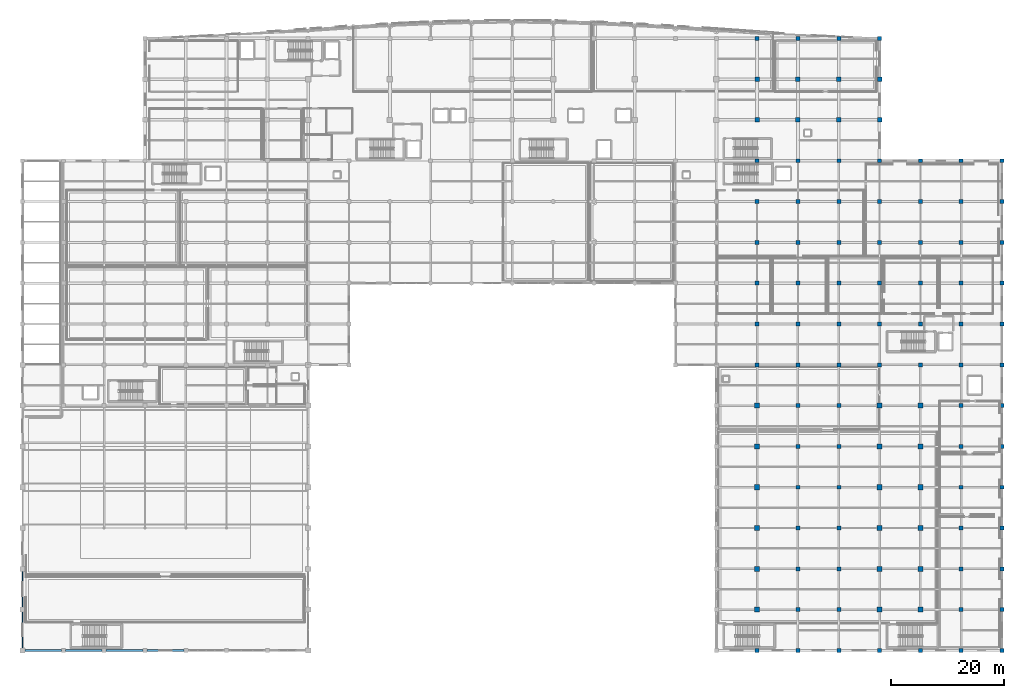
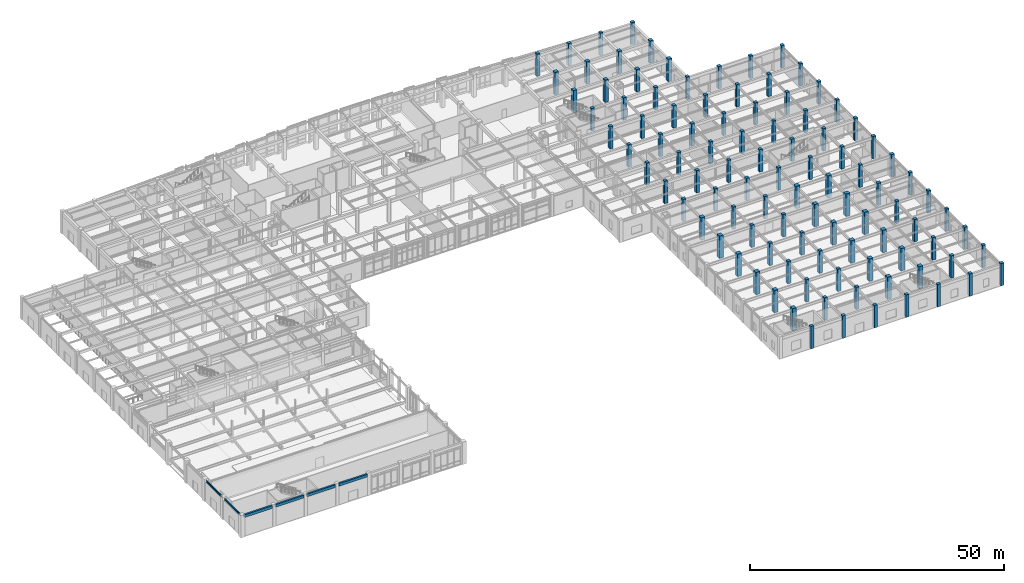
# One storey, part 13 of 102: 103 columns, 6 beams.
"""IFC4 building model written with IfcOpenShell, lengths in metres."""

from ifc_helpers import new_model, si_unit, direction, frame, origin, origin_2d, place, context, subcontext, project, spatial, rectangle, i_section, extrude, material, material_profile, profile_set, type_object, element, save


model = new_model("IFC4")

# Units and contexts
model_context = context("Model", 3, precision=1e-05, world=origin(), true_north=direction((0.0, 1.0)))
body_context = subcontext(model_context, "Body", "Model", "MODEL_VIEW")
ifc_project = project(units=[si_unit("LENGTHUNIT", "METRE"), si_unit("AREAUNIT", "SQUARE_METRE"), si_unit("VOLUMEUNIT", "CUBIC_METRE"), si_unit("PLANEANGLEUNIT", "RADIAN"), si_unit("MASSUNIT", "GRAM", prefix="KILO")], contexts=[model_context])

# Site, building, storey
site_placement = place(None, origin())
site = spatial("IfcSite", under=ifc_project, at=site_placement, CompositionType="ELEMENT")
building_placement = place(site_placement, origin())
building = spatial("IfcBuilding", under=site, at=building_placement, Name="Carrowvane Square Congress Hotel", CompositionType="ELEMENT")
storey_placement = place(building_placement, origin())
storey = spatial("IfcBuildingStorey", under=building, at=storey_placement, Name="L00", CompositionType="ELEMENT", Elevation=0.0)

# Columns
ifc_material_1 = material(Name="Concrete C40/50", Category="concrete")
ifc_material_profile_1 = material_profile(ifc_material_1, rectangle(XDim=0.699951171875, YDim=0.699951171875, at=origin_2d()), Name="RC 700x700")
ifc_profile_set_1 = profile_set([ifc_material_profile_1], Name="Concrete C40/50")
column_type_1 = type_object("IfcColumnType", Name="COL-RC-700", PredefinedType="COLUMN", material=ifc_profile_set_1)
for number, where, z_axis, x_axis, name in (
    (1, (141.199951171875, 5.39990234375, 0.0), (0.0, 0.0, 1.0), (1.0, 0.0, 0.0), "L00 column 19/A"),
    (2, (141.199951171875, 55.800048828125, 0.0), (0.0, 0.0, 1.0), (1.0, 0.0, 0.0), "L00 column 19/H"),
    (3, (141.199951171875, 63.0, 0.0), (0.0, 0.0, 1.0), (1.0, 0.0, 0.0), "L00 column 19/J"),
    (4, (141.199951171875, 70.199951171875, 0.0), (0.0, 0.0, 1.0), (1.0, 0.0, 0.0), "L00 column 19/K"),
    (5, (141.199951171875, 77.39990234375, 0.0), (0.0, 0.0, 1.0), (1.0, 0.0, 0.0), "L00 column 19/L"),
    (6, (141.199951171875, 84.60009765625, 0.0), (0.0, 0.0, 1.0), (1.0, 0.0, 0.0), "L00 column 19/M"),
    (7, (141.199951171875, 91.800048828125, 0.0), (0.0, 0.0, 1.0), (1.0, 0.0, 0.0), "L00 column 19/N"),
    (8, (141.199951171875, 113.39990234375, 0.0), (0.0, 0.0, 1.0), (1.0, 0.0, 0.0), "L00 column 19/R"),
    (9, (148.39990234375, 5.39990234375, 0.0), (0.0, 0.0, 1.0), (1.0, 0.0, 0.0), "L00 column 20/A"),
    (10, (148.39990234375, 12.60009765625, 0.0), (0.0, 0.0, 1.0), (1.0, 0.0, 0.0), "L00 column 20/B"),
    (11, (148.39990234375, 19.800048828125, 0.0), (0.0, 0.0, 1.0), (1.0, 0.0, 0.0), "L00 column 20/C"),
    (12, (148.39990234375, 27.0, 0.0), (0.0, 0.0, 1.0), (1.0, 0.0, 0.0), "L00 column 20/D"),
    (13, (148.39990234375, 34.199951171875, 0.0), (0.0, 0.0, 1.0), (1.0, 0.0, 0.0), "L00 column 20/E"),
    (14, (148.39990234375, 41.39990234375, 0.0), (0.0, 0.0, 1.0), (1.0, 0.0, 0.0), "L00 column 20/F"),
    (15, (148.39990234375, 48.60009765625, 0.0), (0.0, 0.0, 1.0), (1.0, 0.0, 0.0), "L00 column 20/G"),
    (16, (148.39990234375, 55.800048828125, 0.0), (0.0, 0.0, 1.0), (1.0, 0.0, 0.0), "L00 column 20/H"),
    (17, (148.39990234375, 63.0, 0.0), (0.0, 0.0, 1.0), (1.0, 0.0, 0.0), "L00 column 20/J"),
    (18, (148.39990234375, 70.199951171875, 0.0), (0.0, 0.0, 1.0), (1.0, 0.0, 0.0), "L00 column 20/K"),
    (19, (148.39990234375, 77.39990234375, 0.0), (0.0, 0.0, 1.0), (1.0, 0.0, 0.0), "L00 column 20/L"),
    (20, (148.39990234375, 84.60009765625, 0.0), (0.0, 0.0, 1.0), (1.0, 0.0, 0.0), "L00 column 20/M"),
    (21, (148.39990234375, 91.800048828125, 0.0), (0.0, 0.0, 1.0), (1.0, 0.0, 0.0), "L00 column 20/N"),
    (22, (148.39990234375, 113.39990234375, 0.0), (0.0, 0.0, 1.0), (1.0, 0.0, 0.0), "L00 column 20/R"),
    (23, (155.60009765625, 5.39990234375, 0.0), (0.0, 0.0, 1.0), (1.0, 0.0, 0.0), "L00 column 21/A"),
    (24, (155.60009765625, 12.60009765625, 0.0), (0.0, 0.0, 1.0), (1.0, 0.0, 0.0), "L00 column 21/B"),
    (25, (155.60009765625, 19.800048828125, 0.0), (0.0, 0.0, 1.0), (1.0, 0.0, 0.0), "L00 column 21/C"),
    (26, (155.60009765625, 27.0, 0.0), (0.0, 0.0, 1.0), (1.0, 0.0, 0.0), "L00 column 21/D"),
    (27, (155.60009765625, 34.199951171875, 0.0), (0.0, 0.0, 1.0), (1.0, 0.0, 0.0), "L00 column 21/E"),
    (28, (155.60009765625, 41.39990234375, 0.0), (0.0, 0.0, 1.0), (1.0, 0.0, 0.0), "L00 column 21/F"),
    (29, (155.60009765625, 48.60009765625, 0.0), (0.0, 0.0, 1.0), (1.0, 0.0, 0.0), "L00 column 21/G"),
    (30, (155.60009765625, 55.800048828125, 0.0), (0.0, 0.0, 1.0), (1.0, 0.0, 0.0), "L00 column 21/H"),
    (31, (155.60009765625, 63.0, 0.0), (0.0, 0.0, 1.0), (1.0, 0.0, 0.0), "L00 column 21/J"),
    (32, (155.60009765625, 70.199951171875, 0.0), (0.0, 0.0, 1.0), (1.0, 0.0, 0.0), "L00 column 21/K"),
    (33, (155.60009765625, 77.39990234375, 0.0), (0.0, 0.0, 1.0), (1.0, 0.0, 0.0), "L00 column 21/L"),
    (34, (155.60009765625, 84.60009765625, 0.0), (0.0, 0.0, 1.0), (1.0, 0.0, 0.0), "L00 column 21/M"),
    (35, (155.60009765625, 91.800048828125, 0.0), (0.0, 0.0, 1.0), (1.0, 0.0, 0.0), "L00 column 21/N"),
    (36, (155.60009765625, 113.39990234375, 0.0), (0.0, 0.0, 1.0), (1.0, 0.0, 0.0), "L00 column 21/R"),
    (37, (162.800048828125, 5.39990234375, 0.0), (0.0, 0.0, 1.0), (1.0, 0.0, 0.0), "L00 column 22/A"),
    (38, (162.800048828125, 55.800048828125, 0.0), (0.0, 0.0, 1.0), (1.0, 0.0, 0.0), "L00 column 22/H"),
    (39, (162.800048828125, 63.0, 0.0), (0.0, 0.0, 1.0), (1.0, 0.0, 0.0), "L00 column 22/J"),
    (40, (162.800048828125, 70.199951171875, 0.0), (0.0, 0.0, 1.0), (1.0, 0.0, 0.0), "L00 column 22/K"),
    (41, (162.800048828125, 77.39990234375, 0.0), (0.0, 0.0, 1.0), (1.0, 0.0, 0.0), "L00 column 22/L"),
    (42, (162.800048828125, 84.60009765625, 0.0), (0.0, 0.0, 1.0), (1.0, 0.0, 0.0), "L00 column 22/M"),
    (43, (162.800048828125, 91.800048828125, 0.0), (0.0, 0.0, 1.0), (1.0, 0.0, 0.0), "L00 column 22/N"),
    (44, (162.800048828125, 113.39990234375, 0.0), (0.0, 0.0, 1.0), (1.0, 0.0, 0.0), "L00 column 22/R"),
    (45, (170.0, 5.39990234375, 0.0), (0.0, 0.0, 1.0), (1.0, 0.0, 0.0), "L00 column 23/A"),
    (46, (170.0, 55.800048828125, 0.0), (0.0, 0.0, 1.0), (1.0, 0.0, 0.0), "L00 column 23/H"),
    (47, (170.0, 63.0, 0.0), (0.0, 0.0, 1.0), (1.0, 0.0, 0.0), "L00 column 23/J"),
    (48, (170.0, 70.199951171875, 0.0), (0.0, 0.0, 1.0), (1.0, 0.0, 0.0), "L00 column 23/K"),
    (49, (170.0, 77.39990234375, 0.0), (0.0, 0.0, 1.0), (1.0, 0.0, 0.0), "L00 column 23/L"),
    (50, (170.0, 84.60009765625, 0.0), (0.0, 0.0, 1.0), (1.0, 0.0, 0.0), "L00 column 23/M"),
    (51, (170.0, 91.800048828125, 0.0), (0.0, 0.0, 1.0), (1.0, 0.0, 0.0), "L00 column 23/N"),
    (52, (177.199951171875, 5.39990234375, 0.0), (0.0, 0.0, 1.0), (1.0, 0.0, 0.0), "L00 column 24/A"),
    (53, (177.199951171875, 12.60009765625, 0.0), (0.0, 0.0, 1.0), (1.0, 0.0, 0.0), "L00 column 24/B"),
    (54, (177.199951171875, 19.800048828125, 0.0), (0.0, 0.0, 1.0), (1.0, 0.0, 0.0), "L00 column 24/C"),
    (55, (177.199951171875, 27.0, 0.0), (0.0, 0.0, 1.0), (1.0, 0.0, 0.0), "L00 column 24/D"),
    (56, (177.199951171875, 34.199951171875, 0.0), (0.0, 0.0, 1.0), (1.0, 0.0, 0.0), "L00 column 24/E"),
    (57, (177.199951171875, 41.39990234375, 0.0), (0.0, 0.0, 1.0), (1.0, 0.0, 0.0), "L00 column 24/F"),
    (58, (177.199951171875, 48.60009765625, 0.0), (0.0, 0.0, 1.0), (1.0, 0.0, 0.0), "L00 column 24/G"),
    (59, (177.199951171875, 55.800048828125, 0.0), (0.0, 0.0, 1.0), (1.0, 0.0, 0.0), "L00 column 24/H"),
    (60, (177.199951171875, 63.0, 0.0), (0.0, 0.0, 1.0), (1.0, 0.0, 0.0), "L00 column 24/J"),
    (61, (177.199951171875, 70.199951171875, 0.0), (0.0, 0.0, 1.0), (1.0, 0.0, 0.0), "L00 column 24/K"),
    (62, (177.199951171875, 77.39990234375, 0.0), (0.0, 0.0, 1.0), (1.0, 0.0, 0.0), "L00 column 24/L"),
    (63, (177.199951171875, 84.60009765625, 0.0), (0.0, 0.0, 1.0), (1.0, 0.0, 0.0), "L00 column 24/M"),
    (64, (177.199951171875, 91.800048828125, 0.0), (0.0, 0.0, 1.0), (1.0, 0.0, 0.0), "L00 column 24/N"),
    (65, (184.39990234375, 5.39990234375, 0.0), (0.0, 0.0, 1.0), (1.0, 0.0, 0.0), "L00 column 25/A"),
    (66, (184.39990234375, 12.60009765625, 0.0), (0.0, 0.0, 1.0), (1.0, 0.0, 0.0), "L00 column 25/B"),
    (67, (184.39990234375, 19.800048828125, 0.0), (0.0, 0.0, 1.0), (1.0, 0.0, 0.0), "L00 column 25/C"),
    (68, (184.39990234375, 27.0, 0.0), (0.0, 0.0, 1.0), (1.0, 0.0, 0.0), "L00 column 25/D"),
    (69, (184.39990234375, 34.199951171875, 0.0), (0.0, 0.0, 1.0), (1.0, 0.0, 0.0), "L00 column 25/E"),
    (70, (184.39990234375, 41.39990234375, 0.0), (0.0, 0.0, 1.0), (1.0, 0.0, 0.0), "L00 column 25/F"),
    (71, (184.39990234375, 48.60009765625, 0.0), (0.0, 0.0, 1.0), (1.0, 0.0, 0.0), "L00 column 25/G"),
    (72, (184.39990234375, 55.800048828125, 0.0), (0.0, 0.0, 1.0), (1.0, 0.0, 0.0), "L00 column 25/H"),
    (73, (184.39990234375, 63.0, 0.0), (0.0, 0.0, 1.0), (1.0, 0.0, 0.0), "L00 column 25/J"),
    (74, (184.39990234375, 70.199951171875, 0.0), (0.0, 0.0, 1.0), (1.0, 0.0, 0.0), "L00 column 25/K"),
    (75, (184.39990234375, 77.39990234375, 0.0), (0.0, 0.0, 1.0), (1.0, 0.0, 0.0), "L00 column 25/L"),
    (76, (184.39990234375, 84.60009765625, 0.0), (0.0, 0.0, 1.0), (1.0, 0.0, 0.0), "L00 column 25/M"),
    (77, (184.39990234375, 91.800048828125, 0.0), (0.0, 0.0, 1.0), (1.0, 0.0, 0.0), "L00 column 25/N"),
):
    element("IfcColumn", number, at=place(storey_placement, frame(where, z_axis=z_axis, x_axis=x_axis)), inside=storey, type_object=column_type_1, Name=name, PredefinedType="COLUMN", context=body_context, shape_type="SweptSolid", body=[
        extrude(rectangle(XDim=0.699951171875, YDim=0.699951171875, at=origin_2d()), origin(), (0.0, 0.0, 1.0), 5.39990234375),
    ])
ifc_material_2 = material(Name="Concrete C40/50", Category="concrete")
ifc_material_profile_2 = material_profile(ifc_material_2, rectangle(XDim=0.800048828125, YDim=0.800048828125, at=origin_2d()), Name="RC 800x800")
ifc_profile_set_2 = profile_set([ifc_material_profile_2], Name="Concrete C40/50")
column_type_2 = type_object("IfcColumnType", Name="COL-RC-800", PredefinedType="COLUMN", material=ifc_profile_set_2)
for number, where, z_axis, x_axis, name in (
    (78, (141.199951171875, 99.0, 0.0), (0.0, 0.0, 1.0), (1.0, 0.0, 0.0), "L00 column 19/P"),
    (79, (141.199951171875, 106.199951171875, 0.0), (0.0, 0.0, 1.0), (1.0, 0.0, 0.0), "L00 column 19/Q"),
    (80, (148.39990234375, 99.0, 0.0), (0.0, 0.0, 1.0), (1.0, 0.0, 0.0), "L00 column 20/P"),
    (81, (148.39990234375, 106.199951171875, 0.0), (0.0, 0.0, 1.0), (1.0, 0.0, 0.0), "L00 column 20/Q"),
    (82, (155.60009765625, 99.0, 0.0), (0.0, 0.0, 1.0), (1.0, 0.0, 0.0), "L00 column 21/P"),
    (83, (155.60009765625, 106.199951171875, 0.0), (0.0, 0.0, 1.0), (1.0, 0.0, 0.0), "L00 column 21/Q"),
    (84, (162.800048828125, 99.0, 0.0), (0.0, 0.0, 1.0), (1.0, 0.0, 0.0), "L00 column 22/P"),
    (85, (162.800048828125, 106.199951171875, 0.0), (0.0, 0.0, 1.0), (1.0, 0.0, 0.0), "L00 column 22/Q"),
):
    element("IfcColumn", number, at=place(storey_placement, frame(where, z_axis=z_axis, x_axis=x_axis)), inside=storey, type_object=column_type_2, Name=name, PredefinedType="COLUMN", context=body_context, shape_type="SweptSolid", body=[
        extrude(rectangle(XDim=0.800048828125, YDim=0.800048828125, at=origin_2d()), origin(), (0.0, 0.0, 1.0), 5.39990234375),
    ])
ifc_material_3 = material(Name="Concrete C40/50", Category="concrete")
ifc_material_profile_3 = material_profile(ifc_material_3, rectangle(XDim=0.89990234375, YDim=0.89990234375, at=origin_2d()), Name="RC 900x900")
ifc_profile_set_3 = profile_set([ifc_material_profile_3], Name="Concrete C40/50")
column_type_3 = type_object("IfcColumnType", Name="MCOL-RC-900", PredefinedType="COLUMN", material=ifc_profile_set_3)
for number, where, z_axis, x_axis, name in (
    (86, (141.199951171875, 12.60009765625, 0.0), (0.0, 0.0, 1.0), (1.0, 0.0, 0.0), "L00 column 19/B"),
    (87, (141.199951171875, 19.800048828125, 0.0), (0.0, 0.0, 1.0), (1.0, 0.0, 0.0), "L00 column 19/C"),
    (88, (141.199951171875, 27.0, 0.0), (0.0, 0.0, 1.0), (1.0, 0.0, 0.0), "L00 column 19/D"),
    (89, (141.199951171875, 34.199951171875, 0.0), (0.0, 0.0, 1.0), (1.0, 0.0, 0.0), "L00 column 19/E"),
    (90, (141.199951171875, 41.39990234375, 0.0), (0.0, 0.0, 1.0), (1.0, 0.0, 0.0), "L00 column 19/F"),
    (91, (141.199951171875, 48.60009765625, 0.0), (0.0, 0.0, 1.0), (1.0, 0.0, 0.0), "L00 column 19/G"),
    (92, (162.800048828125, 12.60009765625, 0.0), (0.0, 0.0, 1.0), (1.0, 0.0, 0.0), "L00 column 22/B"),
    (93, (162.800048828125, 19.800048828125, 0.0), (0.0, 0.0, 1.0), (1.0, 0.0, 0.0), "L00 column 22/C"),
    (94, (162.800048828125, 27.0, 0.0), (0.0, 0.0, 1.0), (1.0, 0.0, 0.0), "L00 column 22/D"),
    (95, (162.800048828125, 34.199951171875, 0.0), (0.0, 0.0, 1.0), (1.0, 0.0, 0.0), "L00 column 22/E"),
    (96, (162.800048828125, 41.39990234375, 0.0), (0.0, 0.0, 1.0), (1.0, 0.0, 0.0), "L00 column 22/F"),
    (97, (162.800048828125, 48.60009765625, 0.0), (0.0, 0.0, 1.0), (1.0, 0.0, 0.0), "L00 column 22/G"),
    (98, (170.0, 12.60009765625, 0.0), (0.0, 0.0, 1.0), (1.0, 0.0, 0.0), "L00 column 23/B"),
    (99, (170.0, 19.800048828125, 0.0), (0.0, 0.0, 1.0), (1.0, 0.0, 0.0), "L00 column 23/C"),
    (100, (170.0, 27.0, 0.0), (0.0, 0.0, 1.0), (1.0, 0.0, 0.0), "L00 column 23/D"),
    (101, (170.0, 34.199951171875, 0.0), (0.0, 0.0, 1.0), (1.0, 0.0, 0.0), "L00 column 23/E"),
    (102, (170.0, 41.39990234375, 0.0), (0.0, 0.0, 1.0), (1.0, 0.0, 0.0), "L00 column 23/F"),
    (103, (170.0, 48.60009765625, 0.0), (0.0, 0.0, 1.0), (1.0, 0.0, 0.0), "L00 column 23/G"),
):
    element("IfcColumn", number, at=place(storey_placement, frame(where, z_axis=z_axis, x_axis=x_axis)), inside=storey, type_object=column_type_3, Name=name, PredefinedType="COLUMN", context=body_context, shape_type="SweptSolid", body=[
        extrude(rectangle(XDim=0.89990234375, YDim=0.89990234375, at=origin_2d()), origin(), (0.0, 0.0, 1.0), 5.39990234375),
    ])

# Beams
ifc_material_4 = material(Name="Steel S355", Category="steel")
ifc_material_profile_4 = material_profile(ifc_material_4, i_section(OverallWidth=0.19140625, OverallDepth=0.4599609375, WebThickness=0.010009765625, FlangeThickness=0.01611328125, FilletRadius=0.01025390625, at=origin_2d()), Name="UKB 457x191x82")
ifc_profile_set_4 = profile_set([ifc_material_profile_4], Name="Steel S355")
beam_type_1 = type_object("IfcBeamType", Name="BM-ST-UKB457", PredefinedType="SPANDREL", material=ifc_profile_set_4)
beam_1_placement = place(storey_placement, frame((11.60009765625, 5.85009765625, 4.8701171875), z_axis=(0.0, 1.0, 0.0), x_axis=(-1.0, 0.0, 0.0)))
element("IfcBeam", 104, at=beam_1_placement, inside=storey, type_object=beam_type_1, Name="L01 girder 1/A-B", PredefinedType="SPANDREL", context=body_context, shape_type="SweptSolid", body=[
    extrude(i_section(OverallWidth=0.19140625, OverallDepth=0.4599609375, WebThickness=0.010009765625, FlangeThickness=0.01611328125, FilletRadius=0.01025390625, at=origin_2d()), origin(), (0.0, 0.0, 1.0), 6.2998046875),
])
beam_2_placement = place(storey_placement, frame((11.60009765625, 13.050048828125, 4.8701171875), z_axis=(0.0, 1.0, 0.0), x_axis=(-1.0, 0.0, 0.0)))
element("IfcBeam", 105, at=beam_2_placement, inside=storey, type_object=beam_type_1, Name="L01 girder 1/B-C", PredefinedType="SPANDREL", context=body_context, shape_type="SweptSolid", body=[
    extrude(i_section(OverallWidth=0.19140625, OverallDepth=0.4599609375, WebThickness=0.010009765625, FlangeThickness=0.01611328125, FilletRadius=0.01025390625, at=origin_2d()), origin(), (0.0, 0.0, 1.0), 6.300048828125),
])
ifc_material_5 = material(Name="Concrete C35/45", Category="concrete")
ifc_material_profile_5 = material_profile(ifc_material_5, rectangle(XDim=0.39990234375, YDim=0.64990234375, at=origin_2d()), Name="RC 400x650")
ifc_profile_set_5 = profile_set([ifc_material_profile_5], Name="Concrete C35/45")
beam_type_2 = type_object("IfcBeamType", Name="SP-RC-400x650", PredefinedType="SPANDREL", material=ifc_profile_set_5)
beam_3_placement = place(storey_placement, frame((12.050048828125, 5.39990234375, 4.77490234375), z_axis=(1.0, 0.0, 0.0), x_axis=(0.0, 1.0, 0.0)))
element("IfcBeam", 106, at=beam_3_placement, inside=storey, type_object=beam_type_2, Name="L01 girder A/1-2", PredefinedType="SPANDREL", context=body_context, shape_type="SweptSolid", body=[
    extrude(rectangle(XDim=0.39990234375, YDim=0.64990234375, at=origin_2d()), origin(), (0.0, 0.0, 1.0), 6.39990234375),
])
for number, where, z_axis, x_axis, name in (
    (107, (19.14990234375, 5.39990234375, 4.77490234375), (1.0, 0.0, 0.0), (0.0, 1.0, 0.0), "L01 girder A/2-3"),
    (108, (26.35009765625, 5.39990234375, 4.77490234375), (1.0, 0.0, 0.0), (0.0, 1.0, 0.0), "L01 girder A/3-4"),
    (109, (33.550048828125, 5.39990234375, 4.77490234375), (1.0, 0.0, 0.0), (0.0, 1.0, 0.0), "L01 girder A/4-5"),
):
    element("IfcBeam", number, at=place(storey_placement, frame(where, z_axis=z_axis, x_axis=x_axis)), inside=storey, type_object=beam_type_2, Name=name, PredefinedType="SPANDREL", context=body_context, shape_type="SweptSolid", body=[
        extrude(rectangle(XDim=0.39990234375, YDim=0.64990234375, at=origin_2d()), origin(), (0.0, 0.0, 1.0), 6.5),
    ])

save(model, "model.ifc")
